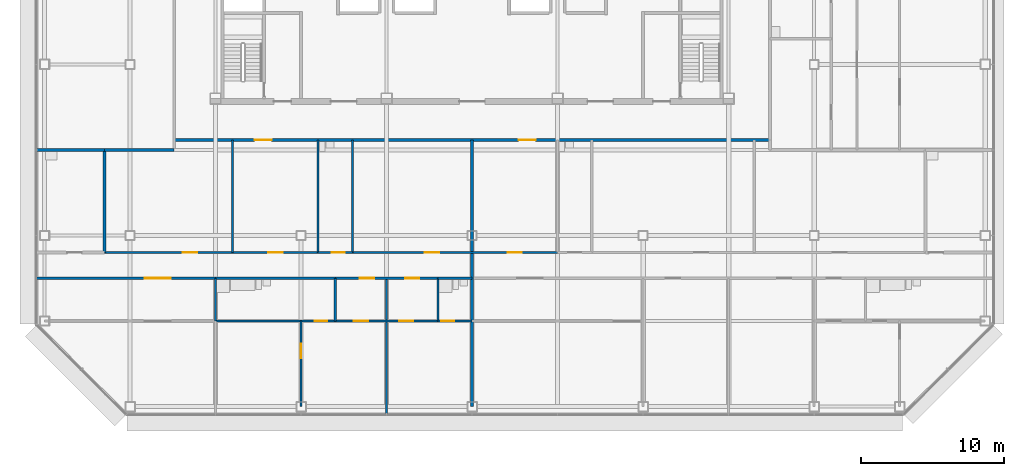
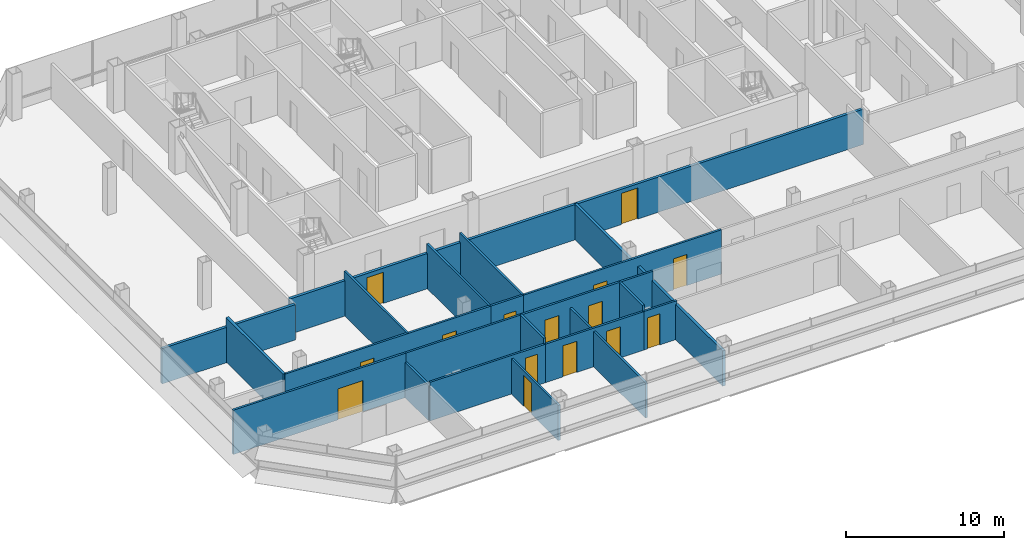
# One storey, part 19 of 26: 23 walls, 15 doors, 15 openings.
"""IFC4 building model written with IfcOpenShell, lengths in metres."""

from ifc_helpers import new_model, si_unit, direction, frame, frame_2d, origin, place, context, subcontext, project, spatial, rectangle, extrude, material, layer, layer_set, type_object, element, fill, save


model = new_model("IFC4")

# Units and contexts
model_context = context("Model", 3, precision=1e-05, world=origin(), true_north=direction((0.0, 1.0)))
body_context = subcontext(model_context, "Body", "Model", "MODEL_VIEW")
ifc_project = project(units=[si_unit("LENGTHUNIT", "METRE"), si_unit("AREAUNIT", "SQUARE_METRE"), si_unit("VOLUMEUNIT", "CUBIC_METRE"), si_unit("PLANEANGLEUNIT", "RADIAN"), si_unit("MASSUNIT", "GRAM", prefix="KILO")], contexts=[model_context])

# Site, building, storey
site_placement = place(None, origin())
site = spatial("IfcSite", under=ifc_project, at=site_placement, CompositionType="ELEMENT")
building_placement = place(site_placement, origin())
building = spatial("IfcBuilding", under=site, at=building_placement, Name="Sorahane Residences", CompositionType="ELEMENT")
storey_placement = place(building_placement, frame((0.0, 0.0, 151.0)))
storey = spatial("IfcBuildingStorey", under=building, at=storey_placement, Name="L34", CompositionType="ELEMENT", Elevation=151.0)

# Wall
ifc_material_1 = material(Name="Concrete blockwork C20 wall", Category="masonry")
ifc_layer_1 = layer(ifc_material_1, 0.199951171875)
ifc_layer_set_1 = layer_set([ifc_layer_1], Name="Corridor wall 200 EI 120")
wall_type_1 = type_object("IfcWallType", Name="Corridor wall 200 EI 120", PredefinedType="SOLIDWALL", material=ifc_layer_set_1)
wall_1_placement = place(storey_placement, frame((-1.800048828125, 18.0, 0.0), z_axis=(0.0, 0.0, 1.0), x_axis=(1.0, 0.0, 0.0)))
element("IfcWall", 1, at=wall_1_placement, inside=storey, type_object=wall_type_1, Name="L34 corridor wall", PredefinedType="SOLIDWALL", context=body_context, shape_type="SweptSolid", body=[
    extrude(rectangle(XDim=4.900146484375, YDim=0.199951171875, at=frame_2d((2.4501953125, 0.0))), origin(), (0.0, 0.0, 1.0), 2.719970703125),
])

# Wall, openings, doors
wall_2_placement = place(storey_placement, frame((3.10009765625, 18.699951171875, 0.0), z_axis=(0.0, 0.0, 1.0), x_axis=(1.0, 0.0, 0.0)))
wall_2 = element("IfcWall", 2, at=wall_2_placement, inside=storey, type_object=wall_type_1, Name="L34 corridor wall", PredefinedType="SOLIDWALL", context=body_context, shape_type="SweptSolid", body=[
    extrude(rectangle(XDim=41.7998046875, YDim=0.199951171875, at=frame_2d((20.89990234375, 0.0))), origin(), (0.0, 0.0, 1.0), 2.719970703125),
])
opening_1_placement = place(wall_2_placement, frame((5.639892578125, 0.0, 0.0)))
opening_1 = element("IfcOpeningElement", 3, at=opening_1_placement, cuts=wall_2, Name="Opening L34-42", PredefinedType="OPENING", context=body_context, shape_type="SweptSolid", body=[
    extrude(rectangle(XDim=1.199951171875, YDim=2.39990234375, at=frame_2d((0.60009765625, 1.199951171875))), frame((0.0, 0.10986328125, 0.0), z_axis=(0.0, -1.0, 0.0), x_axis=(1.0, 0.0, 0.0)), (0.0, 0.0, 1.0), 0.219970703125),
])
opening_2_placement = place(wall_2_placement, frame((24.159912109375, 0.0, 0.0)))
opening_2 = element("IfcOpeningElement", 4, at=opening_2_placement, cuts=wall_2, Name="Opening L34-43", PredefinedType="OPENING", context=body_context, shape_type="SweptSolid", body=[
    extrude(rectangle(XDim=1.199951171875, YDim=2.39990234375, at=frame_2d((0.60009765625, 1.199951171875))), frame((0.0, 0.10986328125, 0.0), z_axis=(0.0, -1.0, 0.0), x_axis=(1.0, 0.0, 0.0)), (0.0, 0.0, 1.0), 0.219970703125),
])
ifc_material_2 = material(Name="Timber veneered fire door", Category="wood")
door_type_1 = type_object("IfcDoorType", Name="Flat entrance door 1200x2400 FD60", OperationType="NOTDEFINED", PredefinedType="DOOR", material=ifc_material_2)
door_1_placement = place(opening_1_placement, frame((1.199951171875, 0.0, 0.0), z_axis=(0.0, 0.0, 1.0), x_axis=(-1.0, 0.0, 0.0)))
door_1 = element("IfcDoor", 5, at=door_1_placement, inside=storey, type_object=door_type_1, Name="Flat entrance door L34-42", OperationType="SINGLE_SWING_LEFT", OverallHeight=2.39990234375, OverallWidth=1.199951171875, PredefinedType="DOOR", context=body_context, shape_type="SweptSolid", body=[
    extrude(rectangle(XDim=1.199951171875, YDim=2.39990234375, at=frame_2d((0.60009765625, 1.199951171875))), frame((0.0, 0.02490234375, 0.0), z_axis=(0.0, -1.0, 0.0), x_axis=(1.0, 0.0, 0.0)), (0.0, 0.0, 1.0), 0.050048828125),
])
fill(opening_1, door_1)
door_2_placement = place(opening_2_placement, frame((1.199951171875, 0.0, 0.0), z_axis=(0.0, 0.0, 1.0), x_axis=(-1.0, 0.0, 0.0)))
door_2 = element("IfcDoor", 6, at=door_2_placement, inside=storey, type_object=door_type_1, Name="Flat entrance door L34-43", OperationType="SINGLE_SWING_RIGHT", OverallHeight=2.39990234375, OverallWidth=1.199951171875, PredefinedType="DOOR", context=body_context, shape_type="SweptSolid", body=[
    extrude(rectangle(XDim=1.199951171875, YDim=2.39990234375, at=frame_2d((0.60009765625, 1.199951171875))), frame((0.0, 0.02490234375, 0.0), z_axis=(0.0, -1.0, 0.0), x_axis=(1.0, 0.0, 0.0)), (0.0, 0.0, 1.0), 0.050048828125),
])
fill(opening_2, door_2)

# Walls
ifc_material_3 = material(Name="Concrete blockwork C20 wall", Category="masonry")
ifc_layer_2 = layer(ifc_material_3, 0.199951171875)
ifc_layer_set_2 = layer_set([ifc_layer_2], Name="Kitchen wall 200 EI 180")
wall_type_2 = type_object("IfcWallType", Name="Kitchen wall 200 EI 180", PredefinedType="SOLIDWALL", material=ifc_layer_set_2)
wall_3_placement = place(storey_placement, frame((-1.800048828125, 10.800048828125, 0.0), z_axis=(0.0, 0.0, 1.0), x_axis=(0.0, 1.0, 0.0)))
element("IfcWall", 7, at=wall_3_placement, inside=storey, type_object=wall_type_2, Name="L34 kitchen wall", PredefinedType="SOLIDWALL", context=body_context, shape_type="SweptSolid", body=[
    extrude(rectangle(XDim=7.199951171875, YDim=0.199951171875, at=frame_2d((3.60009765625, 0.0))), origin(), (0.0, 0.0, 1.0), 3.419921875),
])
wall_4_placement = place(storey_placement, frame((-6.60009765625, 18.0, 0.0), z_axis=(0.0, 0.0, 1.0), x_axis=(1.0, 0.0, 0.0)))
element("IfcWall", 8, at=wall_4_placement, inside=storey, type_object=wall_type_2, Name="L34 kitchen wall", PredefinedType="SOLIDWALL", context=body_context, shape_type="SweptSolid", body=[
    extrude(rectangle(XDim=4.800048828125, YDim=0.199951171875, at=frame_2d((2.39990234375, 0.0))), origin(), (0.0, 0.0, 1.0), 2.719970703125),
])

# Wall, opening, door
ifc_material_4 = material(Name="Gypsum board partition on steel studs", Category="steel")
ifc_layer_3 = layer(ifc_material_4, 0.14990234375)
ifc_layer_set_3 = layer_set([ifc_layer_3], Name="Partition 150 EI 90")
wall_type_3 = type_object("IfcWallType", Name="Partition 150 EI 90", PredefinedType="PARTITIONING", material=ifc_layer_set_3)
wall_5_placement = place(storey_placement, frame((12.0, 0.0, 0.0), z_axis=(0.0, 0.0, 1.0), x_axis=(0.0, 1.0, 0.0)))
wall_5 = element("IfcWall", 9, at=wall_5_placement, inside=storey, type_object=wall_type_3, Name="L34 partition", PredefinedType="PARTITIONING", context=body_context, shape_type="SweptSolid", body=[
    extrude(rectangle(XDim=6.0, YDim=0.14990234375, at=frame_2d((3.0, 0.0))), origin(), (0.0, 0.0, 1.0), 2.719970703125),
])
opening_3_placement = place(wall_5_placement, frame((3.39990234375, 0.0, 0.0)))
opening_3 = element("IfcOpeningElement", 10, at=opening_3_placement, cuts=wall_5, Name="Opening L34-11", PredefinedType="OPENING", context=body_context, shape_type="SweptSolid", body=[
    extrude(rectangle(XDim=1.0, YDim=2.39990234375, at=frame_2d((0.5, 1.199951171875))), frame((0.0, 0.0849609375, 0.0), z_axis=(0.0, -1.0, 0.0), x_axis=(1.0, 0.0, 0.0)), (0.0, 0.0, 1.0), 0.169921875),
])
ifc_material_5 = material(Name="Timber veneered fire door", Category="wood")
door_type_2 = type_object("IfcDoorType", Name="Room door 1000x2400 FD30", OperationType="NOTDEFINED", PredefinedType="DOOR", material=ifc_material_5)
door_3_placement = place(opening_3_placement, origin())
door_3 = element("IfcDoor", 11, at=door_3_placement, inside=storey, type_object=door_type_2, Name="Room door L34-11", OperationType="SINGLE_SWING_RIGHT", OverallHeight=2.39990234375, OverallWidth=1.0, PredefinedType="DOOR", context=body_context, shape_type="SweptSolid", body=[
    extrude(rectangle(XDim=1.0, YDim=2.39990234375, at=frame_2d((0.5, 1.199951171875))), frame((0.0, 0.02490234375, 0.0), z_axis=(0.0, -1.0, 0.0), x_axis=(1.0, 0.0, 0.0)), (0.0, 0.0, 1.0), 0.050048828125),
])
fill(opening_3, door_3)

# Walls
wall_6_placement = place(storey_placement, frame((18.0, -0.60009765625, 0.0), z_axis=(0.0, 0.0, 1.0), x_axis=(0.0, 1.0, 0.0)))
element("IfcWall", 12, at=wall_6_placement, inside=storey, type_object=wall_type_3, Name="L34 partition", PredefinedType="PARTITIONING", context=body_context, shape_type="SweptSolid", body=[
    extrude(rectangle(XDim=9.60009765625, YDim=0.14990234375, at=frame_2d((4.800048828125, 0.0))), origin(), (0.0, 0.0, 1.0), 2.719970703125),
])
wall_7_placement = place(storey_placement, frame((7.199951171875, 10.800048828125, 0.0), z_axis=(0.0, 0.0, 1.0), x_axis=(0.0, 1.0, 0.0)))
element("IfcWall", 13, at=wall_7_placement, inside=storey, type_object=wall_type_3, Name="L34 partition", PredefinedType="PARTITIONING", context=body_context, shape_type="SweptSolid", body=[
    extrude(rectangle(XDim=7.89990234375, YDim=0.14990234375, at=frame_2d((3.949951171875, 0.0))), origin(), (0.0, 0.0, 1.0), 3.419921875),
])

# Wall, openings, doors
wall_8_placement = place(storey_placement, frame((-1.800048828125, 10.800048828125, 0.0), z_axis=(0.0, 0.0, 1.0), x_axis=(1.0, 0.0, 0.0)))
wall_8 = element("IfcWall", 14, at=wall_8_placement, inside=storey, type_object=wall_type_3, Name="L34 partition", PredefinedType="PARTITIONING", context=body_context, shape_type="SweptSolid", body=[
    extrude(rectangle(XDim=15.0, YDim=0.14990234375, at=frame_2d((7.5, 0.0))), origin(), (0.0, 0.0, 1.0), 3.419921875),
])
opening_4_placement = place(wall_8_placement, frame((11.5, 0.0, 0.0)))
opening_4 = element("IfcOpeningElement", 15, at=opening_4_placement, cuts=wall_8, Name="Opening L34-01", PredefinedType="OPENING", context=body_context, shape_type="SweptSolid", body=[
    extrude(rectangle(XDim=1.0, YDim=2.39990234375, at=frame_2d((0.5, 1.199951171875))), frame((0.0, 0.0849609375, 0.0), z_axis=(0.0, -1.0, 0.0), x_axis=(1.0, 0.0, 0.0)), (0.0, 0.0, 1.0), 0.169921875),
])
opening_5_placement = place(wall_8_placement, frame((5.5, 0.0, 0.0)))
opening_5 = element("IfcOpeningElement", 16, at=opening_5_placement, cuts=wall_8, Name="Opening L34-03", PredefinedType="OPENING", context=body_context, shape_type="SweptSolid", body=[
    extrude(rectangle(XDim=1.0, YDim=2.39990234375, at=frame_2d((0.5, 1.199951171875))), frame((0.0, 0.0849609375, 0.0), z_axis=(0.0, -1.0, 0.0), x_axis=(1.0, 0.0, 0.0)), (0.0, 0.0, 1.0), 0.169921875),
])
door_4_placement = place(opening_4_placement, frame((1.0, 0.0, 0.0), z_axis=(0.0, 0.0, 1.0), x_axis=(-1.0, 0.0, 0.0)))
door_4 = element("IfcDoor", 17, at=door_4_placement, inside=storey, type_object=door_type_2, Name="Room door L34-01", OperationType="SINGLE_SWING_LEFT", OverallHeight=2.39990234375, OverallWidth=1.0, PredefinedType="DOOR", context=body_context, shape_type="SweptSolid", body=[
    extrude(rectangle(XDim=1.0, YDim=2.39990234375, at=frame_2d((0.5, 1.199951171875))), frame((0.0, 0.02490234375, 0.0), z_axis=(0.0, -1.0, 0.0), x_axis=(1.0, 0.0, 0.0)), (0.0, 0.0, 1.0), 0.050048828125),
])
fill(opening_4, door_4)
door_5_placement = place(opening_5_placement, origin())
door_5 = element("IfcDoor", 18, at=door_5_placement, inside=storey, type_object=door_type_2, Name="Room door L34-03", OperationType="SINGLE_SWING_RIGHT", OverallHeight=2.39990234375, OverallWidth=1.0, PredefinedType="DOOR", context=body_context, shape_type="SweptSolid", body=[
    extrude(rectangle(XDim=1.0, YDim=2.39990234375, at=frame_2d((0.5, 1.199951171875))), frame((0.0, 0.02490234375, 0.0), z_axis=(0.0, -1.0, 0.0), x_axis=(1.0, 0.0, 0.0)), (0.0, 0.0, 1.0), 0.050048828125),
])
fill(opening_5, door_5)

wall_9_placement = place(storey_placement, frame((15.60009765625, 10.800048828125, 0.0), z_axis=(0.0, 0.0, 1.0), x_axis=(1.0, 0.0, 0.0)))
wall_9 = element("IfcWall", 19, at=wall_9_placement, inside=storey, type_object=wall_type_3, Name="L34 partition", PredefinedType="PARTITIONING", context=body_context, shape_type="SweptSolid", body=[
    extrude(rectangle(XDim=14.39990234375, YDim=0.14990234375, at=frame_2d((7.199951171875, 0.0))), origin(), (0.0, 0.0, 1.0), 3.419921875),
])
opening_6_placement = place(wall_9_placement, frame((5.080078125, 0.0, 0.0)))
opening_6 = element("IfcOpeningElement", 20, at=opening_6_placement, cuts=wall_9, Name="Opening L34-05", PredefinedType="OPENING", context=body_context, shape_type="SweptSolid", body=[
    extrude(rectangle(XDim=1.0, YDim=2.39990234375, at=frame_2d((0.5, 1.199951171875))), frame((0.0, 0.0849609375, 0.0), z_axis=(0.0, -1.0, 0.0), x_axis=(1.0, 0.0, 0.0)), (0.0, 0.0, 1.0), 0.169921875),
])
opening_7_placement = place(wall_9_placement, frame((10.89990234375, 0.0, 0.0)))
opening_7 = element("IfcOpeningElement", 21, at=opening_7_placement, cuts=wall_9, Name="Opening L34-15", PredefinedType="OPENING", context=body_context, shape_type="SweptSolid", body=[
    extrude(rectangle(XDim=1.0, YDim=2.39990234375, at=frame_2d((0.5, 1.199951171875))), frame((0.0, 0.0849609375, 0.0), z_axis=(0.0, -1.0, 0.0), x_axis=(1.0, 0.0, 0.0)), (0.0, 0.0, 1.0), 0.169921875),
])
door_6_placement = place(opening_6_placement, origin())
door_6 = element("IfcDoor", 22, at=door_6_placement, inside=storey, type_object=door_type_2, Name="Room door L34-05", OperationType="SINGLE_SWING_LEFT", OverallHeight=2.39990234375, OverallWidth=1.0, PredefinedType="DOOR", context=body_context, shape_type="SweptSolid", body=[
    extrude(rectangle(XDim=1.0, YDim=2.39990234375, at=frame_2d((0.5, 1.199951171875))), frame((0.0, 0.02490234375, 0.0), z_axis=(0.0, -1.0, 0.0), x_axis=(1.0, 0.0, 0.0)), (0.0, 0.0, 1.0), 0.050048828125),
])
fill(opening_6, door_6)
door_7_placement = place(opening_7_placement, frame((1.0, 0.0, 0.0), z_axis=(0.0, 0.0, 1.0), x_axis=(-1.0, 0.0, 0.0)))
door_7 = element("IfcDoor", 23, at=door_7_placement, inside=storey, type_object=door_type_2, Name="Room door L34-15", OperationType="SINGLE_SWING_RIGHT", OverallHeight=2.39990234375, OverallWidth=1.0, PredefinedType="DOOR", context=body_context, shape_type="SweptSolid", body=[
    extrude(rectangle(XDim=1.0, YDim=2.39990234375, at=frame_2d((0.5, 1.199951171875))), frame((0.0, 0.02490234375, 0.0), z_axis=(0.0, -1.0, 0.0), x_axis=(1.0, 0.0, 0.0)), (0.0, 0.0, 1.0), 0.050048828125),
])
fill(opening_7, door_7)

wall_10_placement = place(storey_placement, frame((14.39990234375, 6.0, 0.0), z_axis=(0.0, 0.0, 1.0), x_axis=(1.0, 0.0, 0.0)))
wall_10 = element("IfcWall", 24, at=wall_10_placement, inside=storey, type_object=wall_type_3, Name="L34 partition", PredefinedType="PARTITIONING", context=body_context, shape_type="SweptSolid", body=[
    extrude(rectangle(XDim=7.2001953125, YDim=0.14990234375, at=frame_2d((3.60009765625, 0.0))), origin(), (0.0, 0.0, 1.0), 2.969970703125),
])
opening_8_placement = place(wall_10_placement, frame((1.300048828125, 0.0, 0.0)))
opening_8 = element("IfcOpeningElement", 25, at=opening_8_placement, cuts=wall_10, Name="Opening L34-10", PredefinedType="OPENING", context=body_context, shape_type="SweptSolid", body=[
    extrude(rectangle(XDim=1.0, YDim=2.39990234375, at=frame_2d((0.5, 1.199951171875))), frame((0.0, 0.0849609375, 0.0), z_axis=(0.0, -1.0, 0.0), x_axis=(1.0, 0.0, 0.0)), (0.0, 0.0, 1.0), 0.169921875),
])
opening_9_placement = place(wall_10_placement, frame((4.47998046875, 0.0, 0.0)))
opening_9 = element("IfcOpeningElement", 26, at=opening_9_placement, cuts=wall_10, Name="Opening L34-13", PredefinedType="OPENING", context=body_context, shape_type="SweptSolid", body=[
    extrude(rectangle(XDim=1.0, YDim=2.39990234375, at=frame_2d((0.5, 1.199951171875))), frame((0.0, 0.0849609375, 0.0), z_axis=(0.0, -1.0, 0.0), x_axis=(1.0, 0.0, 0.0)), (0.0, 0.0, 1.0), 0.169921875),
])
door_8_placement = place(opening_8_placement, frame((1.0, 0.0, 0.0), z_axis=(0.0, 0.0, 1.0), x_axis=(-1.0, 0.0, 0.0)))
door_8 = element("IfcDoor", 27, at=door_8_placement, inside=storey, type_object=door_type_2, Name="Room door L34-10", OperationType="SINGLE_SWING_RIGHT", OverallHeight=2.39990234375, OverallWidth=1.0, PredefinedType="DOOR", context=body_context, shape_type="SweptSolid", body=[
    extrude(rectangle(XDim=1.0, YDim=2.39990234375, at=frame_2d((0.5, 1.199951171875))), frame((0.0, 0.02490234375, 0.0), z_axis=(0.0, -1.0, 0.0), x_axis=(1.0, 0.0, 0.0)), (0.0, 0.0, 1.0), 0.050048828125),
])
fill(opening_8, door_8)
door_9_placement = place(opening_9_placement, frame((1.0, 0.0, 0.0), z_axis=(0.0, 0.0, 1.0), x_axis=(-1.0, 0.0, 0.0)))
door_9 = element("IfcDoor", 28, at=door_9_placement, inside=storey, type_object=door_type_2, Name="Room door L34-13", OperationType="SINGLE_SWING_RIGHT", OverallHeight=2.39990234375, OverallWidth=1.0, PredefinedType="DOOR", context=body_context, shape_type="SweptSolid", body=[
    extrude(rectangle(XDim=1.0, YDim=2.39990234375, at=frame_2d((0.5, 1.199951171875))), frame((0.0, 0.02490234375, 0.0), z_axis=(0.0, -1.0, 0.0), x_axis=(1.0, 0.0, 0.0)), (0.0, 0.0, 1.0), 0.050048828125),
])
fill(opening_9, door_9)

# Wall, opening, door
wall_11_placement = place(storey_placement, frame((-6.60009765625, 9.0, 0.0), z_axis=(0.0, 0.0, 1.0), x_axis=(1.0, 0.0, 0.0)))
wall_11 = element("IfcWall", 29, at=wall_11_placement, inside=storey, type_object=wall_type_3, Name="L34 partition", PredefinedType="PARTITIONING", context=body_context, shape_type="SweptSolid", body=[
    extrude(rectangle(XDim=12.60009765625, YDim=0.14990234375, at=frame_2d((6.300048828125, 0.0))), origin(), (0.0, 0.0, 1.0), 3.419921875),
])
opening_10_placement = place(wall_11_placement, frame((7.639892578125, 0.0, 0.0)))
opening_10 = element("IfcOpeningElement", 30, at=opening_10_placement, cuts=wall_11, Name="Opening L34-06", PredefinedType="OPENING", context=body_context, shape_type="SweptSolid", body=[
    extrude(rectangle(XDim=1.800048828125, YDim=2.39990234375, at=frame_2d((0.89990234375, 1.199951171875))), frame((0.0, 0.0849609375, 0.0), z_axis=(0.0, -1.0, 0.0), x_axis=(1.0, 0.0, 0.0)), (0.0, 0.0, 1.0), 0.169921875),
])
ifc_material_6 = material(Name="Timber veneered fire door", Category="wood")
door_type_3 = type_object("IfcDoorType", Name="Double door 1800x2400 FD30", OperationType="NOTDEFINED", PredefinedType="DOOR", material=ifc_material_6)
door_10_placement = place(opening_10_placement, frame((1.800048828125, 0.0, 0.0), z_axis=(0.0, 0.0, 1.0), x_axis=(-1.0, 0.0, 0.0)))
door_10 = element("IfcDoor", 31, at=door_10_placement, inside=storey, type_object=door_type_3, Name="Double door L34-06", OperationType="SINGLE_SWING_RIGHT", OverallHeight=2.39990234375, OverallWidth=1.800048828125, PredefinedType="DOOR", context=body_context, shape_type="SweptSolid", body=[
    extrude(rectangle(XDim=1.800048828125, YDim=2.39990234375, at=frame_2d((0.89990234375, 1.199951171875))), frame((0.0, 0.02490234375, 0.0), z_axis=(0.0, -1.0, 0.0), x_axis=(1.0, 0.0, 0.0)), (0.0, 0.0, 1.0), 0.050048828125),
])
fill(opening_10, door_10)

# Wall, openings, doors
wall_12_placement = place(storey_placement, frame((14.39990234375, 9.0, 0.0), z_axis=(0.0, 0.0, 1.0), x_axis=(1.0, 0.0, 0.0)))
wall_12 = element("IfcWall", 32, at=wall_12_placement, inside=storey, type_object=wall_type_3, Name="L34 partition", PredefinedType="PARTITIONING", context=body_context, shape_type="SweptSolid", body=[
    extrude(rectangle(XDim=7.2001953125, YDim=0.14990234375, at=frame_2d((3.60009765625, 0.0))), origin(), (0.0, 0.0, 1.0), 3.419921875),
])
opening_11_placement = place(wall_12_placement, frame((1.719970703125, 0.0, 0.0)))
opening_11 = element("IfcOpeningElement", 33, at=opening_11_placement, cuts=wall_12, Name="Opening L34-07", PredefinedType="OPENING", context=body_context, shape_type="SweptSolid", body=[
    extrude(rectangle(XDim=1.0, YDim=2.39990234375, at=frame_2d((0.5, 1.199951171875))), frame((0.0, 0.0849609375, 0.0), z_axis=(0.0, -1.0, 0.0), x_axis=(1.0, 0.0, 0.0)), (0.0, 0.0, 1.0), 0.169921875),
])
opening_12_placement = place(wall_12_placement, frame((4.89990234375, 0.0, 0.0)))
opening_12 = element("IfcOpeningElement", 34, at=opening_12_placement, cuts=wall_12, Name="Opening L34-08", PredefinedType="OPENING", context=body_context, shape_type="SweptSolid", body=[
    extrude(rectangle(XDim=1.0, YDim=2.39990234375, at=frame_2d((0.5, 1.199951171875))), frame((0.0, 0.0849609375, 0.0), z_axis=(0.0, -1.0, 0.0), x_axis=(1.0, 0.0, 0.0)), (0.0, 0.0, 1.0), 0.169921875),
])
door_11_placement = place(opening_11_placement, frame((1.0, 0.0, 0.0), z_axis=(0.0, 0.0, 1.0), x_axis=(-1.0, 0.0, 0.0)))
door_11 = element("IfcDoor", 35, at=door_11_placement, inside=storey, type_object=door_type_2, Name="Room door L34-07", OperationType="SINGLE_SWING_RIGHT", OverallHeight=2.39990234375, OverallWidth=1.0, PredefinedType="DOOR", context=body_context, shape_type="SweptSolid", body=[
    extrude(rectangle(XDim=1.0, YDim=2.39990234375, at=frame_2d((0.5, 1.199951171875))), frame((0.0, 0.02490234375, 0.0), z_axis=(0.0, -1.0, 0.0), x_axis=(1.0, 0.0, 0.0)), (0.0, 0.0, 1.0), 0.050048828125),
])
fill(opening_11, door_11)
door_12_placement = place(opening_12_placement, frame((1.0, 0.0, 0.0), z_axis=(0.0, 0.0, 1.0), x_axis=(-1.0, 0.0, 0.0)))
door_12 = element("IfcDoor", 36, at=door_12_placement, inside=storey, type_object=door_type_2, Name="Room door L34-08", OperationType="SINGLE_SWING_RIGHT", OverallHeight=2.39990234375, OverallWidth=1.0, PredefinedType="DOOR", context=body_context, shape_type="SweptSolid", body=[
    extrude(rectangle(XDim=1.0, YDim=2.39990234375, at=frame_2d((0.5, 1.199951171875))), frame((0.0, 0.02490234375, 0.0), z_axis=(0.0, -1.0, 0.0), x_axis=(1.0, 0.0, 0.0)), (0.0, 0.0, 1.0), 0.050048828125),
])
fill(opening_12, door_12)

# Walls
ifc_material_7 = material(Name="Concrete blockwork C20 wall", Category="masonry")
ifc_layer_4 = layer(ifc_material_7, 0.199951171875)
ifc_layer_set_4 = layer_set([ifc_layer_4], Name="Party wall 200 EI 120")
wall_type_4 = type_object("IfcWallType", Name="Party wall 200 EI 120", PredefinedType="SOLIDWALL", material=ifc_layer_set_4)
wall_13_placement = place(storey_placement, frame((24.0, 0.0, 0.0), z_axis=(0.0, 0.0, 1.0), x_axis=(0.0, 1.0, 0.0)))
element("IfcWall", 37, at=wall_13_placement, inside=storey, type_object=wall_type_4, Name="L34 party wall", PredefinedType="SOLIDWALL", context=body_context, shape_type="SweptSolid", body=[
    extrude(rectangle(XDim=18.699951171875, YDim=0.199951171875, at=frame_2d((9.35009765625, 0.0))), origin(), (0.0, 0.0, 1.0), 2.719970703125),
])
ifc_material_8 = material(Name="Gypsum board partition on steel studs", Category="steel")
ifc_layer_5 = layer(ifc_material_8, 0.14990234375)
ifc_layer_set_5 = layer_set([ifc_layer_5], Name="Wet wall 150 EI 90")
wall_type_5 = type_object("IfcWallType", Name="Wet wall 150 EI 90", PredefinedType="PARTITIONING", material=ifc_layer_set_5)
wall_14_placement = place(storey_placement, frame((13.199951171875, 10.800048828125, 0.0), z_axis=(0.0, 0.0, 1.0), x_axis=(0.0, 1.0, 0.0)))
element("IfcWall", 38, at=wall_14_placement, inside=storey, type_object=wall_type_5, Name="L34 wet wall", PredefinedType="PARTITIONING", context=body_context, shape_type="SweptSolid", body=[
    extrude(rectangle(XDim=7.89990234375, YDim=0.14990234375, at=frame_2d((3.949951171875, 0.0))), origin(), (0.0, 0.0, 1.0), 3.419921875),
])
wall_15_placement = place(storey_placement, frame((14.39990234375, 6.0, 0.0), z_axis=(0.0, 0.0, 1.0), x_axis=(0.0, 1.0, 0.0)))
element("IfcWall", 39, at=wall_15_placement, inside=storey, type_object=wall_type_5, Name="L34 wet wall", PredefinedType="PARTITIONING", context=body_context, shape_type="SweptSolid", body=[
    extrude(rectangle(XDim=3.0, YDim=0.14990234375, at=frame_2d((1.5, 0.0))), origin(), (0.0, 0.0, 1.0), 3.419921875),
])
wall_16_placement = place(storey_placement, frame((15.60009765625, 10.800048828125, 0.0), z_axis=(0.0, 0.0, 1.0), x_axis=(0.0, 1.0, 0.0)))
element("IfcWall", 40, at=wall_16_placement, inside=storey, type_object=wall_type_5, Name="L34 wet wall", PredefinedType="PARTITIONING", context=body_context, shape_type="SweptSolid", body=[
    extrude(rectangle(XDim=7.89990234375, YDim=0.14990234375, at=frame_2d((3.949951171875, 0.0))), origin(), (0.0, 0.0, 1.0), 3.419921875),
])
wall_17_placement = place(storey_placement, frame((21.60009765625, 6.0, 0.0), z_axis=(0.0, 0.0, 1.0), x_axis=(0.0, 1.0, 0.0)))
element("IfcWall", 41, at=wall_17_placement, inside=storey, type_object=wall_type_5, Name="L34 wet wall", PredefinedType="PARTITIONING", context=body_context, shape_type="SweptSolid", body=[
    extrude(rectangle(XDim=3.0, YDim=0.14990234375, at=frame_2d((1.5, 0.0))), origin(), (0.0, 0.0, 1.0), 3.419921875),
])
wall_18_placement = place(storey_placement, frame((6.0, 6.0, 0.0), z_axis=(0.0, 0.0, 1.0), x_axis=(0.0, 1.0, 0.0)))
element("IfcWall", 42, at=wall_18_placement, inside=storey, type_object=wall_type_5, Name="L34 wet wall", PredefinedType="PARTITIONING", context=body_context, shape_type="SweptSolid", body=[
    extrude(rectangle(XDim=3.0, YDim=0.14990234375, at=frame_2d((1.5, 0.0))), origin(), (0.0, 0.0, 1.0), 2.719970703125),
])

# Wall, opening, door
wall_19_placement = place(storey_placement, frame((13.199951171875, 10.800048828125, 0.0), z_axis=(0.0, 0.0, 1.0), x_axis=(1.0, 0.0, 0.0)))
wall_19 = element("IfcWall", 43, at=wall_19_placement, inside=storey, type_object=wall_type_5, Name="L34 wet wall", PredefinedType="PARTITIONING", context=body_context, shape_type="SweptSolid", body=[
    extrude(rectangle(XDim=2.400146484375, YDim=0.14990234375, at=frame_2d((1.2001953125, 0.0))), origin(), (0.0, 0.0, 1.0), 3.419921875),
])
opening_13_placement = place(wall_19_placement, frame((0.949951171875, 0.0, 0.0)))
opening_13 = element("IfcOpeningElement", 44, at=opening_13_placement, cuts=wall_19, Name="Opening L34-04", PredefinedType="OPENING", context=body_context, shape_type="SweptSolid", body=[
    extrude(rectangle(XDim=0.89990234375, YDim=2.39990234375, at=frame_2d((0.449951171875, 1.199951171875))), frame((0.0, 0.0849609375, 0.0), z_axis=(0.0, -1.0, 0.0), x_axis=(1.0, 0.0, 0.0)), (0.0, 0.0, 1.0), 0.169921875),
])
ifc_material_9 = material(Name="Timber veneered fire door", Category="wood")
door_type_4 = type_object("IfcDoorType", Name="Bathroom door 900x2400 FD30", OperationType="NOTDEFINED", PredefinedType="DOOR", material=ifc_material_9)
door_13_placement = place(opening_13_placement, frame((0.89990234375, 0.0, 0.0), z_axis=(0.0, 0.0, 1.0), x_axis=(-1.0, 0.0, 0.0)))
door_13 = element("IfcDoor", 45, at=door_13_placement, inside=storey, type_object=door_type_4, Name="Bathroom door L34-04", OperationType="SINGLE_SWING_RIGHT", OverallHeight=2.39990234375, OverallWidth=0.89990234375, PredefinedType="DOOR", context=body_context, shape_type="SweptSolid", body=[
    extrude(rectangle(XDim=0.89990234375, YDim=2.39990234375, at=frame_2d((0.449951171875, 1.199951171875))), frame((0.0, 0.02490234375, 0.0), z_axis=(0.0, -1.0, 0.0), x_axis=(1.0, 0.0, 0.0)), (0.0, 0.0, 1.0), 0.050048828125),
])
fill(opening_13, door_13)

wall_20_placement = place(storey_placement, frame((6.0, 6.0, 0.0), z_axis=(0.0, 0.0, 1.0), x_axis=(1.0, 0.0, 0.0)))
wall_20 = element("IfcWall", 46, at=wall_20_placement, inside=storey, type_object=wall_type_5, Name="L34 wet wall", PredefinedType="PARTITIONING", context=body_context, shape_type="SweptSolid", body=[
    extrude(rectangle(XDim=8.39990234375, YDim=0.14990234375, at=frame_2d((4.199951171875, 0.0))), origin(), (0.0, 0.0, 1.0), 2.969970703125),
])
opening_14_placement = place(wall_20_placement, frame((6.949951171875, 0.0, 0.0)))
opening_14 = element("IfcOpeningElement", 47, at=opening_14_placement, cuts=wall_20, Name="Opening L34-12", PredefinedType="OPENING", context=body_context, shape_type="SweptSolid", body=[
    extrude(rectangle(XDim=0.89990234375, YDim=2.39990234375, at=frame_2d((0.449951171875, 1.199951171875))), frame((0.0, 0.0849609375, 0.0), z_axis=(0.0, -1.0, 0.0), x_axis=(1.0, 0.0, 0.0)), (0.0, 0.0, 1.0), 0.169921875),
])
door_14_placement = place(opening_14_placement, frame((0.89990234375, 0.0, 0.0), z_axis=(0.0, 0.0, 1.0), x_axis=(-1.0, 0.0, 0.0)))
door_14 = element("IfcDoor", 48, at=door_14_placement, inside=storey, type_object=door_type_4, Name="Bathroom door L34-12", OperationType="SINGLE_SWING_LEFT", OverallHeight=2.39990234375, OverallWidth=0.89990234375, PredefinedType="DOOR", context=body_context, shape_type="SweptSolid", body=[
    extrude(rectangle(XDim=0.89990234375, YDim=2.39990234375, at=frame_2d((0.449951171875, 1.199951171875))), frame((0.0, 0.02490234375, 0.0), z_axis=(0.0, -1.0, 0.0), x_axis=(1.0, 0.0, 0.0)), (0.0, 0.0, 1.0), 0.050048828125),
])
fill(opening_14, door_14)

wall_21_placement = place(storey_placement, frame((21.60009765625, 6.0, 0.0), z_axis=(0.0, 0.0, 1.0), x_axis=(1.0, 0.0, 0.0)))
wall_21 = element("IfcWall", 49, at=wall_21_placement, inside=storey, type_object=wall_type_5, Name="L34 wet wall", PredefinedType="PARTITIONING", context=body_context, shape_type="SweptSolid", body=[
    extrude(rectangle(XDim=2.39990234375, YDim=0.14990234375, at=frame_2d((1.199951171875, 0.0))), origin(), (0.0, 0.0, 1.0), 2.969970703125),
])
opening_15_placement = place(wall_21_placement, frame((0.25, 0.0, 0.0)))
opening_15 = element("IfcOpeningElement", 50, at=opening_15_placement, cuts=wall_21, Name="Opening L34-14", PredefinedType="OPENING", context=body_context, shape_type="SweptSolid", body=[
    extrude(rectangle(XDim=0.89990234375, YDim=2.39990234375, at=frame_2d((0.449951171875, 1.199951171875))), frame((0.0, 0.0849609375, 0.0), z_axis=(0.0, -1.0, 0.0), x_axis=(1.0, 0.0, 0.0)), (0.0, 0.0, 1.0), 0.169921875),
])
door_15_placement = place(opening_15_placement, frame((0.89990234375, 0.0, 0.0), z_axis=(0.0, 0.0, 1.0), x_axis=(-1.0, 0.0, 0.0)))
door_15 = element("IfcDoor", 51, at=door_15_placement, inside=storey, type_object=door_type_4, Name="Bathroom door L34-14", OperationType="SINGLE_SWING_LEFT", OverallHeight=2.39990234375, OverallWidth=0.89990234375, PredefinedType="DOOR", context=body_context, shape_type="SweptSolid", body=[
    extrude(rectangle(XDim=0.89990234375, YDim=2.39990234375, at=frame_2d((0.449951171875, 1.199951171875))), frame((0.0, 0.02490234375, 0.0), z_axis=(0.0, -1.0, 0.0), x_axis=(1.0, 0.0, 0.0)), (0.0, 0.0, 1.0), 0.050048828125),
])
fill(opening_15, door_15)

# Walls
wall_22_placement = place(storey_placement, frame((6.0, 9.0, 0.0), z_axis=(0.0, 0.0, 1.0), x_axis=(1.0, 0.0, 0.0)))
element("IfcWall", 52, at=wall_22_placement, inside=storey, type_object=wall_type_5, Name="L34 wet wall", PredefinedType="PARTITIONING", context=body_context, shape_type="SweptSolid", body=[
    extrude(rectangle(XDim=8.39990234375, YDim=0.14990234375, at=frame_2d((4.199951171875, 0.0))), origin(), (0.0, 0.0, 1.0), 3.419921875),
])
wall_23_placement = place(storey_placement, frame((21.60009765625, 9.0, 0.0), z_axis=(0.0, 0.0, 1.0), x_axis=(1.0, 0.0, 0.0)))
element("IfcWall", 53, at=wall_23_placement, inside=storey, type_object=wall_type_5, Name="L34 wet wall", PredefinedType="PARTITIONING", context=body_context, shape_type="SweptSolid", body=[
    extrude(rectangle(XDim=2.39990234375, YDim=0.14990234375, at=frame_2d((1.199951171875, 0.0))), origin(), (0.0, 0.0, 1.0), 3.419921875),
])

save(model, "model.ifc")
